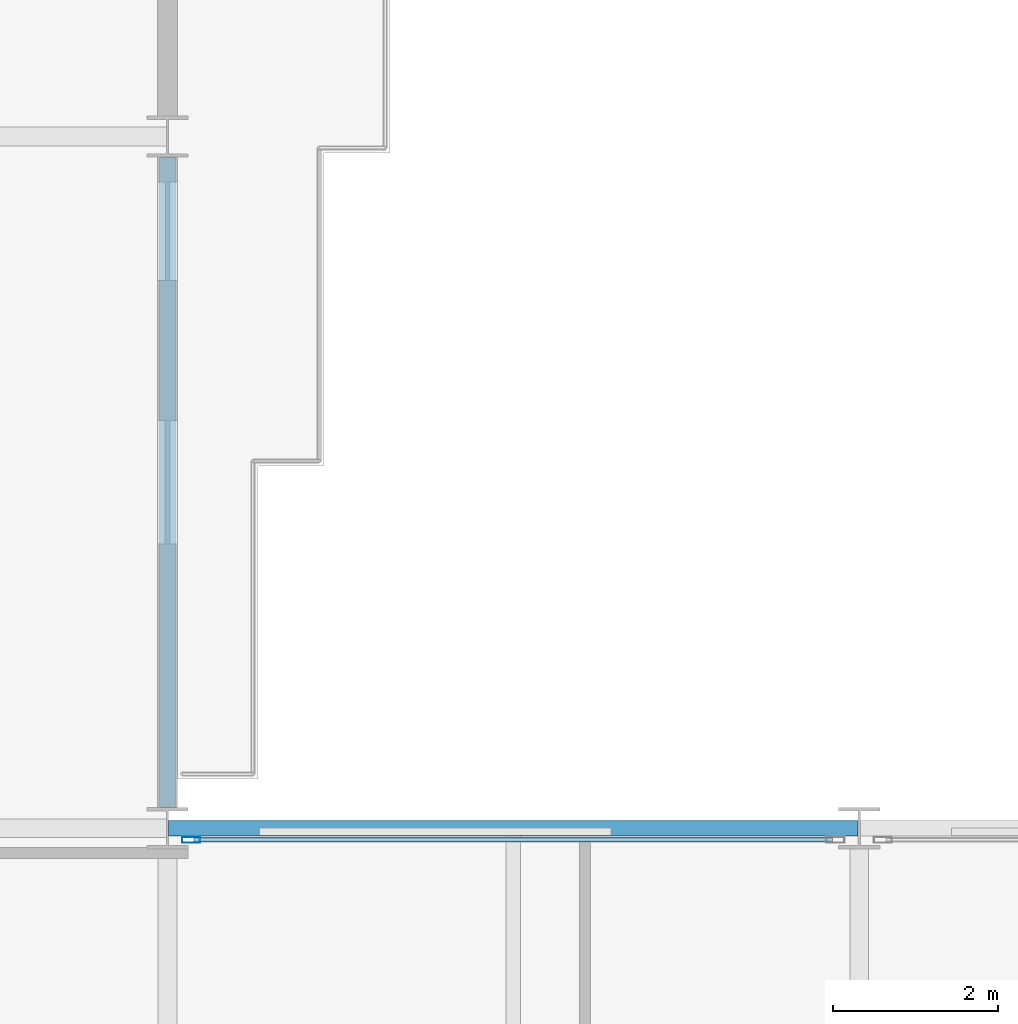
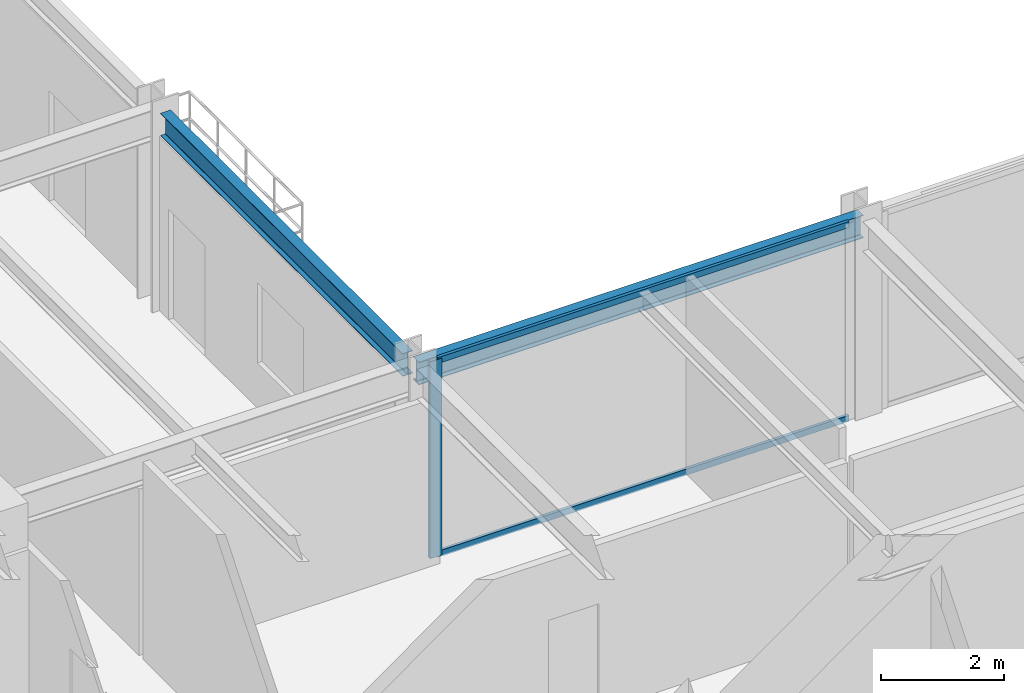
# One storey, part 8 of 24: 3 members, 2 beams, 1 element without a shape of its own.
"""IFC4 building model written with IfcOpenShell, lengths in metres."""

from ifc_helpers import new_model, si_unit, direction, frame, origin, origin_2d, place, context, subcontext, project, spatial, hollow_rectangle, i_section, extrude, material, layer, layer_set, material_profile, profile_set, type_object, element, aggregate, save


model = new_model("IFC4")

# Units and contexts
model_context = context("Model", 3, precision=1e-05, world=origin(), true_north=direction((0.0, 1.0)))
body_context = subcontext(model_context, "Body", "Model", "MODEL_VIEW")
ifc_project = project(units=[si_unit("LENGTHUNIT", "METRE"), si_unit("AREAUNIT", "SQUARE_METRE"), si_unit("VOLUMEUNIT", "CUBIC_METRE"), si_unit("PLANEANGLEUNIT", "RADIAN"), si_unit("MASSUNIT", "GRAM", prefix="KILO")], contexts=[model_context])

# Site, building, storey
site_placement = place(None, origin())
site = spatial("IfcSite", under=ifc_project, at=site_placement, CompositionType="ELEMENT")
building_placement = place(site_placement, origin())
building = spatial("IfcBuilding", under=site, at=building_placement, Name="Nerrivon Quay Data Exchange", CompositionType="ELEMENT")
storey_placement = place(building_placement, frame((0.0, 0.0, 37.39990234375)))
storey = spatial("IfcBuildingStorey", under=building, at=storey_placement, Name="L08", CompositionType="ELEMENT", Elevation=37.39990234375)

# Beams
ifc_material_1 = material(Name="Steel Grade 350", Category="steel")
ifc_material_profile_1 = material_profile(ifc_material_1, i_section(OverallWidth=0.18994140625, OverallDepth=0.4541015625, WebThickness=0.008544921875, FlangeThickness=0.0126953125, FilletRadius=0.011474609375, at=origin_2d()), Name="460UB67.1")
ifc_profile_set_1 = profile_set([ifc_material_profile_1], Name="Steel Grade 350")
beam_type = type_object("IfcBeamType", Name="BM-SP1-460UB67", PredefinedType="SPANDREL", material=ifc_profile_set_1)
beam_1_placement = place(storey_placement, frame((25.214111328125, 25.199951171875, 3.697998046875), z_axis=(1.0, 0.0, 0.0), x_axis=(0.0, 1.0, 0.0)))
element("IfcBeam", 1, at=beam_1_placement, inside=storey, type_object=beam_type, Name="L08 EW Girder Y=25.2 (25.2..33.6)", PredefinedType="SPANDREL", context=body_context, shape_type="SweptSolid", body=[
    extrude(i_section(OverallWidth=0.18994140625, OverallDepth=0.4541015625, WebThickness=0.008544921875, FlangeThickness=0.0126953125, FilletRadius=0.011474609375, at=origin_2d()), origin(), (0.0, 0.0, 1.0), 8.371826171875),
])
beam_2_placement = place(storey_placement, frame((25.199951171875, 25.449951171875, 3.697998046875), z_axis=(0.0, 1.0, 0.0), x_axis=(-1.0, 0.0, 0.0)))
element("IfcBeam", 2, at=beam_2_placement, inside=storey, type_object=beam_type, Name="L08 NS Girder X=25.2 (25.2..33.6)", PredefinedType="SPANDREL", context=body_context, shape_type="SweptSolid", body=[
    extrude(i_section(OverallWidth=0.18994140625, OverallDepth=0.4541015625, WebThickness=0.008544921875, FlangeThickness=0.0126953125, FilletRadius=0.011474609375, at=origin_2d()), origin(), (0.0, 0.0, 1.0), 7.900146484375),
])

# Curtain wall, members
ifc_material_2 = material(Name="Anodised aluminium 6063-T6", Category="aluminium")
ifc_layer = layer(ifc_material_2, 0.219970703125)
ifc_layer_set = layer_set([ifc_layer], Name="Anodised aluminium 6063-T6")
curtain_wall_type = type_object("IfcCurtainWallType", Name="CW-SYS-01", PredefinedType="NOTDEFINED", material=ifc_layer_set)
curtain_wall_placement = place(storey_placement, origin())
curtain_wall = element("IfcCurtainWall", 3, at=curtain_wall_placement, inside=storey, type_object=curtain_wall_type, Name="L08 Unitised Curtain Wall 28", PredefinedType="NOTDEFINED")
ifc_material_profile_2 = material_profile(ifc_material_2, hollow_rectangle(XDim=0.074951171875, YDim=0.219970703125, WallThickness=0.00390625, at=origin_2d()), Name="ALU-MULL-220x75")
ifc_profile_set_2 = profile_set([ifc_material_profile_2], Name="Anodised aluminium 6063-T6")
member_type_1 = type_object("IfcMemberType", Name="CWM-220x75", PredefinedType="MULLION", material=ifc_profile_set_2)
member_1_placement = place(storey_placement, frame((25.487548828125, 25.06005859375, 0.0), z_axis=(0.0, 0.0, 1.0), x_axis=(0.0, 1.0, 0.0)))
member_1 = element("IfcMember", 4, at=member_1_placement, type_object=member_type_1, Name="CW01 mullion 1", PredefinedType="MULLION", context=body_context, shape_type="SweptSolid", body=[
    extrude(hollow_rectangle(XDim=0.074951171875, YDim=0.219970703125, WallThickness=0.00390625, at=origin_2d()), origin(), (0.0, 0.0, 1.0), 3.925048828125),
])
ifc_material_profile_3 = material_profile(ifc_material_2, hollow_rectangle(XDim=0.06005859375, YDim=0.1201171875, WallThickness=0.003173828125, at=origin_2d()), Name="ALU-TRAN-120x60")
ifc_profile_set_3 = profile_set([ifc_material_profile_3], Name="Anodised aluminium 6063-T6")
member_type_2 = type_object("IfcMemberType", Name="CWT-120x60", PredefinedType="USERDEFINED", material=ifc_profile_set_3)
member_2_placement = place(storey_placement, frame((25.52490234375, 25.06005859375, 0.03271484375), z_axis=(1.0, 0.0, 0.0), x_axis=(0.0, 1.0, 0.0)))
member_2 = element("IfcMember", 5, at=member_2_placement, type_object=member_type_2, Name="CW01 transom 1.1", ObjectType="TRANSOM", PredefinedType="USERDEFINED", context=body_context, shape_type="SweptSolid", body=[
    extrude(hollow_rectangle(XDim=0.06005859375, YDim=0.1201171875, WallThickness=0.003173828125, at=origin_2d()), origin(), (0.0, 0.0, 1.0), 7.75),
])
member_3_placement = place(storey_placement, frame((25.52490234375, 25.06005859375, 3.892578125), z_axis=(1.0, 0.0, 0.0), x_axis=(0.0, 1.0, 0.0)))
member_3 = element("IfcMember", 6, at=member_3_placement, type_object=member_type_2, Name="CW01 transom 1.2", ObjectType="TRANSOM", PredefinedType="USERDEFINED", context=body_context, shape_type="SweptSolid", body=[
    extrude(hollow_rectangle(XDim=0.06005859375, YDim=0.1201171875, WallThickness=0.003173828125, at=origin_2d()), origin(), (0.0, 0.0, 1.0), 7.75),
])
aggregate(curtain_wall, [member_1, member_2, member_3])

save(model, "model.ifc")
